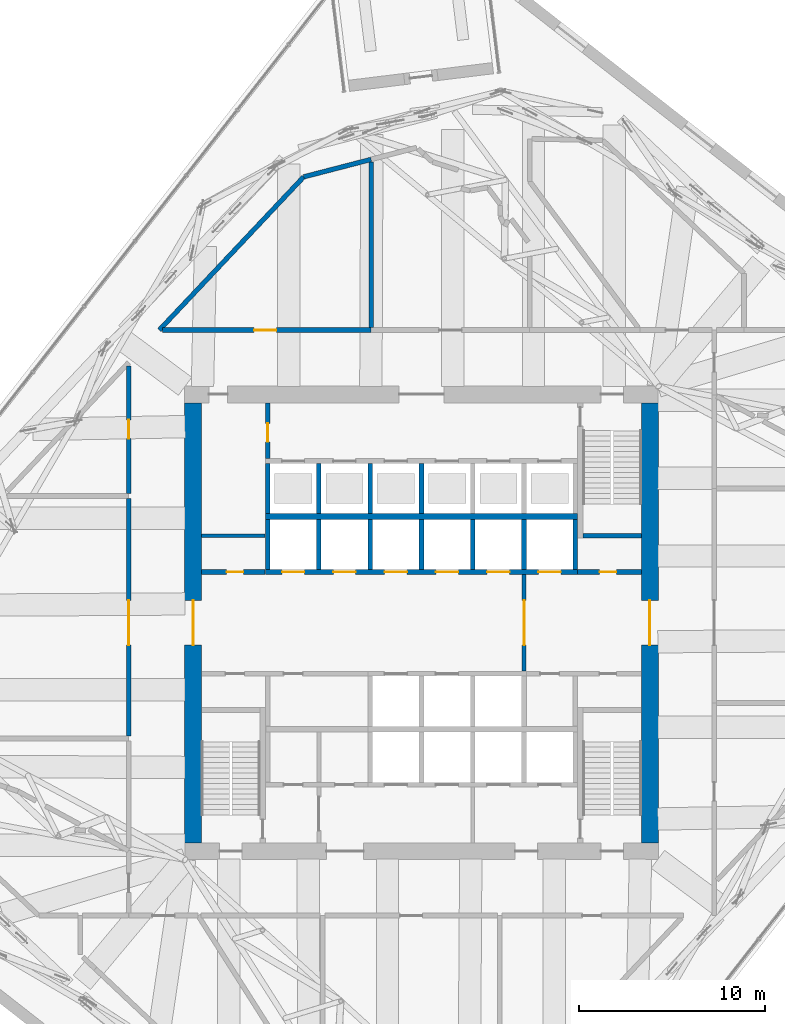
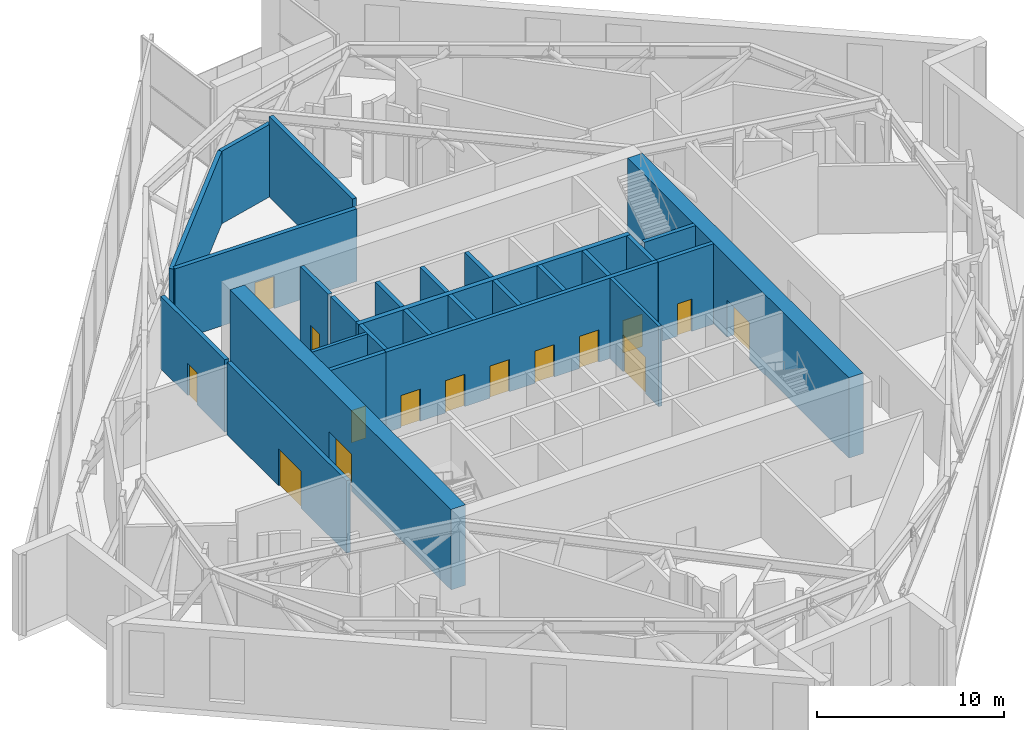
# One storey, part 14 of 23: 27 walls, 15 doors, 15 openings.
"""IFC4 building model written with IfcOpenShell, lengths in metres."""

import ifcopenshell
import ifcopenshell.guid

model = None  # the IFC model being written
_history = None  # IfcOwnerHistory: only IFC2X3 demands one
_inside = {}  # id of a spatial element -> (the spatial element, [elements in it])
_under = {}  # id of a project, library or spatial element -> (it, [spatial elements below it])
_declared = {}  # id of a project -> (the project, [libraries it declares])
_typed = {}  # id of a type object -> (the type object, [elements of that type])
_made_of = {}  # id of a material, layer set ... -> (it, [elements and type objects made of it])


def new_model(schema):
    """Start an empty IFC model of exactly this schema.

    Asked for "IFC4X3", IfcOpenShell would pick the latest addendum, in which some entities
    have other attributes; the version numbers below select the first issue.
    IFC2X3 requires an IfcOwnerHistory on every rooted entity: one is made here for all.
    """
    global model, _history
    if schema == "IFC4X3":
        model = ifcopenshell.file(schema_version=(4, 3, 0, 0))
    else:
        model = ifcopenshell.file(schema=schema)
    _inside.clear()
    _under.clear()
    _declared.clear()
    _typed.clear()
    _made_of.clear()
    _history = None
    if model.schema == "IFC2X3":
        org = make("IfcOrganization", Name="unknown")
        user = make(
            "IfcPersonAndOrganization",
            ThePerson=make("IfcPerson", FamilyName="unknown"),
            TheOrganization=org,
        )
        app = make(
            "IfcApplication",
            ApplicationDeveloper=org,
            Version="unknown",
            ApplicationFullName="unknown",
            ApplicationIdentifier="unknown",
        )
        _history = make(
            "IfcOwnerHistory",
            OwningUser=user,
            OwningApplication=app,
            ChangeAction="ADDED",
            CreationDate=0,
        )
    return model


def make(cls, **values):
    """One entity of the class cls with the attributes given. An attribute that is None is left unset."""
    return model.create_entity(
        cls, **{name: value for name, value in values.items() if value is not None}
    )


def rooted(cls, **values):
    """An entity with a GlobalId (a new one), such as an element, a storey or a relation."""
    return make(cls, GlobalId=ifcopenshell.guid.new(), OwnerHistory=_history, **values)


def si_unit(unit_type, name, prefix=None):
    """IfcSIUnit, for example si_unit("LENGTHUNIT", "METRE", prefix="MILLI")."""
    return make("IfcSIUnit", UnitType=unit_type, Prefix=prefix, Name=name)


def assignment(units):
    """IfcUnitAssignment: the units of a project."""
    return None if units is None else make("IfcUnitAssignment", Units=units)


def point(xyz):
    """IfcCartesianPoint."""
    return None if xyz is None else make("IfcCartesianPoint", Coordinates=xyz)


def direction(xyz):
    """IfcDirection."""
    return None if xyz is None else make("IfcDirection", DirectionRatios=xyz)


def frame(location, z_axis=None, x_axis=None):
    """IfcAxis2Placement3D, a coordinate frame: its origin and axes. An axis left out is left unset."""
    return make(
        "IfcAxis2Placement3D",
        Location=point(location),
        Axis=direction(z_axis),
        RefDirection=direction(x_axis),
    )


def frame_2d(location, x_axis=None):
    """IfcAxis2Placement2D, a coordinate frame in the plane: its origin and x axis."""
    return make(
        "IfcAxis2Placement2D", Location=point(location), RefDirection=direction(x_axis)
    )


def origin():
    """The frame at (0, 0, 0) with its axes left unset."""
    return frame((0.0, 0.0, 0.0))


def place(relative_to, where):
    """IfcLocalPlacement: puts the frame where relative to a parent placement (None: the world)."""
    return make(
        "IfcLocalPlacement", PlacementRelTo=relative_to, RelativePlacement=where
    )


def context(
    kind, dimensions, precision=None, world=None, true_north=None, identifier=None
):
    """IfcGeometricRepresentationContext, for example the 3D "Model" context."""
    return make(
        "IfcGeometricRepresentationContext",
        ContextIdentifier=identifier,
        ContextType=kind,
        CoordinateSpaceDimension=dimensions,
        Precision=precision,
        WorldCoordinateSystem=world,
        TrueNorth=true_north,
    )


def subcontext(parent, identifier, kind, view, scale=None):
    """IfcGeometricRepresentationSubContext, for example "Body" below "Model"."""
    return make(
        "IfcGeometricRepresentationSubContext",
        ContextIdentifier=identifier,
        ContextType=kind,
        ParentContext=parent,
        TargetScale=scale,
        TargetView=view,
    )


def project(units=None, contexts=None):
    """IfcProject with its units and contexts."""
    return rooted(
        "IfcProject",
        Name="project",
        RepresentationContexts=contexts,
        UnitsInContext=assignment(units),
    )


def spatial(cls, under=None, at=None, **own):
    """A site, building, storey or space (cls), placed at a placement, below another one or the project."""
    s = rooted(cls, ObjectPlacement=at, **own)
    if under is not None:
        _under.setdefault(under.id(), (under, []))[1].append(s)
    return s


def profile(cls, at=None, kind="AREA", **sizes):
    """A parametric profile (cls). Its sizes go by their IFC names, for example OverallWidth=200.0."""
    return make(cls, ProfileType=kind, Position=at, **sizes)


def rectangle(**sizes):
    """IfcRectangleProfileDef."""
    return profile("IfcRectangleProfileDef", **sizes)


def extrude(swept, where, along, depth):
    """IfcExtrudedAreaSolid: the profile swept, set in the frame where, extruded along a direction by depth."""
    return make(
        "IfcExtrudedAreaSolid",
        SweptArea=swept,
        Position=where,
        ExtrudedDirection=direction(along),
        Depth=depth,
    )


def shape(context_of_items, identifier, shape_type, items):
    """IfcShapeRepresentation: the items that make up one representation, for example the "Body"."""
    return make(
        "IfcShapeRepresentation",
        ContextOfItems=context_of_items,
        RepresentationIdentifier=identifier,
        RepresentationType=shape_type,
        Items=items,
    )


def material(Name=None, Category=None):
    """IfcMaterial."""
    return make("IfcMaterial", Name=Name, Category=Category)


def layer(
    of_material, thickness, ventilated=None, Name=None, Category=None, Priority=None
):
    """IfcMaterialLayer: one layer of a wall or slab, of a material (None: an air gap)."""
    return make(
        "IfcMaterialLayer",
        Material=of_material,
        LayerThickness=thickness,
        IsVentilated=ventilated,
        Name=Name,
        Category=Category,
        Priority=Priority,
    )


def layer_set(layers, Name=None):
    """IfcMaterialLayerSet."""
    return make("IfcMaterialLayerSet", MaterialLayers=layers, LayerSetName=Name)


def made_of(thing, what):
    """Note that an element or type object is made of a material, layer set ...; save() writes the relation."""
    if what is not None:
        _made_of.setdefault(what.id(), (what, []))[1].append(thing)
    return thing


def type_object(cls, material=None, **own):
    """A type object (cls), such as IfcWallType, which elements share."""
    return made_of(rooted(cls, **own), material)


def element(
    cls,
    number,
    at=None,
    inside=None,
    cuts=None,
    type_object=None,
    material=None,
    context=None,
    identifier="Body",
    shape_type=None,
    held_by="IfcProductDefinitionShape",
    body=None,
    shapes=None,
    **own,
):
    """One element of the class cls, such as IfcWall. Its Tag is "e" and its number.

    at: its placement. inside: the storey or other place that contains it. cuts: it is an
    opening in that element (IfcRelVoidsElement). A single representation is given by context,
    identifier, shape_type and body (its items); several are given by shapes. held_by: the class
    of the entity that holds the representations. save() writes the other relations.
    """
    e = rooted(cls, Tag="e%d" % number, ObjectPlacement=at, **own)
    if body is not None:
        shapes = [shape(context, identifier, shape_type, body)]
    if shapes is not None:
        e.Representation = make(held_by, Representations=shapes)
    if inside is not None:
        _inside.setdefault(inside.id(), (inside, []))[1].append(e)
    if cuts is not None:
        rooted(
            "IfcRelVoidsElement", RelatingBuildingElement=cuts, RelatedOpeningElement=e
        )
    if type_object is not None:
        _typed.setdefault(type_object.id(), (type_object, []))[1].append(e)
    return made_of(e, material)


def fill(opening, filler):
    """IfcRelFillsElement: the door or window that sits in an opening."""
    return rooted(
        "IfcRelFillsElement",
        RelatingOpeningElement=opening,
        RelatedBuildingElement=filler,
    )


def aggregate(whole, parts):
    """IfcRelAggregates: a whole, such as a stair, and the parts it consists of."""
    return rooted("IfcRelAggregates", RelatingObject=whole, RelatedObjects=parts)


def save(model, path):
    """Write the relations noted so far, then the file.

    IfcRelAggregates (storeys below a building ...), IfcRelContainedInSpatialStructure (elements
    in a storey), IfcRelDefinesByType, IfcRelAssociatesMaterial and IfcRelDeclares: one each for
    every whole, place, type object, material and project.
    """
    for whole, parts in _under.values():
        aggregate(whole, parts)
    for where, things in _inside.values():
        rooted(
            "IfcRelContainedInSpatialStructure",
            RelatedElements=things,
            RelatingStructure=where,
        )
    for kind, things in _typed.values():
        rooted("IfcRelDefinesByType", RelatedObjects=things, RelatingType=kind)
    for what, things in _made_of.values():
        rooted("IfcRelAssociatesMaterial", RelatedObjects=things, RelatingMaterial=what)
    for by, libraries in _declared.values():
        rooted("IfcRelDeclares", RelatingContext=by, RelatedDefinitions=libraries)
    model.write(path)


model = new_model("IFC4")

# Units and contexts
model_context = context("Model", 3, precision=1e-05, world=origin(), true_north=direction((0.0, 1.0)))
body_context = subcontext(model_context, "Body", "Model", "MODEL_VIEW")
ifc_project = project(units=[si_unit("LENGTHUNIT", "METRE"), si_unit("AREAUNIT", "SQUARE_METRE"), si_unit("VOLUMEUNIT", "CUBIC_METRE"), si_unit("PLANEANGLEUNIT", "RADIAN"), si_unit("MASSUNIT", "GRAM", prefix="KILO")], contexts=[model_context])

# Site, building, storey
site_placement = place(None, origin())
site = spatial("IfcSite", under=ifc_project, at=site_placement, CompositionType="ELEMENT")
building_placement = place(site_placement, origin())
building = spatial("IfcBuilding", under=site, at=building_placement, Name="Dilmun Exchange Tower", CompositionType="ELEMENT")
storey_placement = place(building_placement, frame((0.0, 0.0, 237.300048828125)))
storey = spatial("IfcBuildingStorey", under=building, at=storey_placement, Name="L56", CompositionType="ELEMENT", Elevation=237.300048828125)

# Wall, opening, door
ifc_material_1 = material(Name="Concrete C40/50", Category="concrete")
ifc_layer_1 = layer(ifc_material_1, 0.199951171875)
ifc_layer_set_1 = layer_set([ifc_layer_1], Name="Concrete C40/50")
wall_type_1 = type_object("IfcWallType", Name="Core partition wall 200", PredefinedType="PARTITIONING", material=ifc_layer_set_1)
wall_1_placement = place(storey_placement, frame((5.5, -2.594970703125, 0.0), z_axis=(0.0, 0.0, 1.0), x_axis=(0.0, 1.0, 0.0)))
wall_1 = element("IfcWall", 1, at=wall_1_placement, inside=storey, type_object=wall_type_1, Name="L56 core partition wall 11", PredefinedType="PARTITIONING", context=body_context, shape_type="SweptSolid", body=[
    extrude(rectangle(XDim=5.18994140625, YDim=0.199951171875, at=frame_2d((2.594970703125, 0.0))), origin(), (0.0, 0.0, 1.0), 5.239990234375),
])
opening_1_placement = place(wall_1_placement, frame((1.39501953125, 0.0, 0.0)))
opening_1 = element("IfcOpeningElement", 2, at=opening_1_placement, cuts=wall_1, Name="Opening CD1", PredefinedType="OPENING", context=body_context, shape_type="SweptSolid", body=[
    extrude(rectangle(XDim=2.39990234375, YDim=2.39990234375, at=frame_2d((1.199951171875, 1.199951171875))), frame((0.0, 0.10986328125, 0.0), z_axis=(0.0, -1.0, 0.0), x_axis=(1.0, 0.0, 0.0)), (0.0, 0.0, 1.0), 0.219970703125),
])
ifc_material_2 = material(Name="Fire-rated steel door set", Category="steel")
door_type_1 = type_object("IfcDoorType", Name="Core lobby door 2400x2400", OperationType="DOUBLE_DOOR_DOUBLE_SWING", PredefinedType="DOOR", material=ifc_material_2)
door_1_placement = place(opening_1_placement, origin())
door_1 = element("IfcDoor", 3, at=door_1_placement, inside=storey, type_object=door_type_1, Name="L56 door Lift lobby east", OperationType="SINGLE_SWING_LEFT", OverallHeight=2.39990234375, OverallWidth=2.39990234375, PredefinedType="DOOR", context=body_context, shape_type="SweptSolid", body=[
    extrude(rectangle(XDim=2.39990234375, YDim=2.39990234375, at=frame_2d((1.199951171875, 1.199951171875))), frame((0.0, 0.02490234375, 0.0), z_axis=(0.0, -1.0, 0.0), x_axis=(1.0, 0.0, 0.0)), (0.0, 0.0, 1.0), 0.050048828125),
])
fill(opening_1, door_1)

# Wall
wall_2_placement = place(storey_placement, frame((-11.794921875, 4.675048828125, 0.0), z_axis=(0.0, 0.0, 1.0), x_axis=(1.0, 0.0, 0.0)))
element("IfcWall", 4, at=wall_2_placement, inside=storey, type_object=wall_type_1, Name="L56 core partition wall 14", PredefinedType="PARTITIONING", context=body_context, shape_type="SweptSolid", body=[
    extrude(rectangle(XDim=3.4150390625, YDim=0.199951171875, at=frame_2d((1.70751953125, 0.0))), origin(), (0.0, 0.0, 1.0), 5.239990234375),
])

# Wall, opening, door
ifc_layer_2 = layer(ifc_material_1, 0.25)
ifc_layer_set_2 = layer_set([ifc_layer_2], Name="Concrete C40/50")
wall_type_2 = type_object("IfcWallType", Name="Core partition wall 250", PredefinedType="PARTITIONING", material=ifc_layer_set_2)
wall_3_placement = place(storey_placement, frame((-11.794921875, 2.72509765625, 0.0), z_axis=(0.0, 0.0, 1.0), x_axis=(1.0, 0.0, 0.0)))
wall_3 = element("IfcWall", 5, at=wall_3_placement, inside=storey, type_object=wall_type_2, Name="L56 core partition wall 12", PredefinedType="PARTITIONING", context=body_context, shape_type="SweptSolid", body=[
    extrude(rectangle(XDim=3.4150390625, YDim=0.25, at=frame_2d((1.70751953125, 0.0))), origin(), (0.0, 0.0, 1.0), 5.239990234375),
])
opening_2_placement = place(wall_3_placement, frame((1.344970703125, 0.0, 0.0)))
opening_2 = element("IfcOpeningElement", 6, at=opening_2_placement, cuts=wall_3, Name="Opening CD6", PredefinedType="OPENING", context=body_context, shape_type="SweptSolid", body=[
    extrude(rectangle(XDim=0.89990234375, YDim=2.10009765625, at=frame_2d((0.449951171875, 1.050048828125))), frame((0.0, 0.135009765625, 0.0), z_axis=(0.0, -1.0, 0.0), x_axis=(1.0, 0.0, 0.0)), (0.0, 0.0, 1.0), 0.27001953125),
])
door_type_2 = type_object("IfcDoorType", Name="Core room door 900x2100", OperationType="SINGLE_SWING_LEFT", PredefinedType="DOOR", material=ifc_material_2)
door_2_placement = place(opening_2_placement, origin())
door_2 = element("IfcDoor", 7, at=door_2_placement, inside=storey, type_object=door_type_2, Name="L56 door Plumbing riser", OperationType="SINGLE_SWING_LEFT", OverallHeight=2.10009765625, OverallWidth=0.89990234375, PredefinedType="DOOR", context=body_context, shape_type="SweptSolid", body=[
    extrude(rectangle(XDim=0.89990234375, YDim=2.10009765625, at=frame_2d((0.449951171875, 1.050048828125))), frame((0.0, 0.02490234375, 0.0), z_axis=(0.0, -1.0, 0.0), x_axis=(1.0, 0.0, 0.0)), (0.0, 0.0, 1.0), 0.050048828125),
])
fill(opening_2, door_2)

wall_4_placement = place(storey_placement, frame((8.3798828125, 2.72509765625, 0.0), z_axis=(0.0, 0.0, 1.0), x_axis=(1.0, 0.0, 0.0)))
wall_4 = element("IfcWall", 8, at=wall_4_placement, inside=storey, type_object=wall_type_2, Name="L56 core partition wall 13", PredefinedType="PARTITIONING", context=body_context, shape_type="SweptSolid", body=[
    extrude(rectangle(XDim=3.4150390625, YDim=0.25, at=frame_2d((1.70751953125, 0.0))), origin(), (0.0, 0.0, 1.0), 5.239990234375),
])
opening_3_placement = place(wall_4_placement, frame((1.169921875, 0.0, 0.0)))
opening_3 = element("IfcOpeningElement", 9, at=opening_3_placement, cuts=wall_4, Name="Opening CD6", PredefinedType="OPENING", context=body_context, shape_type="SweptSolid", body=[
    extrude(rectangle(XDim=0.89990234375, YDim=2.10009765625, at=frame_2d((0.449951171875, 1.050048828125))), frame((0.0, 0.135009765625, 0.0), z_axis=(0.0, -1.0, 0.0), x_axis=(1.0, 0.0, 0.0)), (0.0, 0.0, 1.0), 0.27001953125),
])
door_3_placement = place(opening_3_placement, origin())
door_3 = element("IfcDoor", 10, at=door_3_placement, inside=storey, type_object=door_type_2, Name="L56 door Electrical riser", OperationType="SINGLE_SWING_LEFT", OverallHeight=2.10009765625, OverallWidth=0.89990234375, PredefinedType="DOOR", context=body_context, shape_type="SweptSolid", body=[
    extrude(rectangle(XDim=0.89990234375, YDim=2.10009765625, at=frame_2d((0.449951171875, 1.050048828125))), frame((0.0, 0.02490234375, 0.0), z_axis=(0.0, -1.0, 0.0), x_axis=(1.0, 0.0, 0.0)), (0.0, 0.0, 1.0), 0.050048828125),
])
fill(opening_3, door_3)

wall_5_placement = place(storey_placement, frame((-8.25, 8.804931640625, 0.0), z_axis=(0.0, 0.0, 1.0), x_axis=(0.0, 1.0, 0.0)))
wall_5 = element("IfcWall", 11, at=wall_5_placement, inside=storey, type_object=wall_type_2, Name="L56 core partition wall 15", PredefinedType="PARTITIONING", context=body_context, shape_type="SweptSolid", body=[
    extrude(rectangle(XDim=2.989990234375, YDim=0.25, at=frame_2d((1.4951171875, 0.0))), origin(), (0.0, 0.0, 1.0), 5.239990234375),
])
opening_4_placement = place(wall_5_placement, frame((0.89501953125, 0.0, 0.0)))
opening_4 = element("IfcOpeningElement", 12, at=opening_4_placement, cuts=wall_5, Name="Opening CD4", PredefinedType="OPENING", context=body_context, shape_type="SweptSolid", body=[
    extrude(rectangle(XDim=1.0, YDim=2.10009765625, at=frame_2d((0.5, 1.050048828125))), frame((0.0, 0.135009765625, 0.0), z_axis=(0.0, -1.0, 0.0), x_axis=(1.0, 0.0, 0.0)), (0.0, 0.0, 1.0), 0.27001953125),
])
door_type_3 = type_object("IfcDoorType", Name="Core room door 1000x2100", OperationType="SINGLE_SWING_LEFT", PredefinedType="DOOR", material=ifc_material_2)
door_4_placement = place(opening_4_placement, origin())
door_4 = element("IfcDoor", 13, at=door_4_placement, inside=storey, type_object=door_type_3, Name="L56 door Facilities office", OperationType="SINGLE_SWING_LEFT", OverallHeight=2.10009765625, OverallWidth=1.0, PredefinedType="DOOR", context=body_context, shape_type="SweptSolid", body=[
    extrude(rectangle(XDim=1.0, YDim=2.10009765625, at=frame_2d((0.5, 1.050048828125))), frame((0.0, 0.02490234375, 0.0), z_axis=(0.0, -1.0, 0.0), x_axis=(1.0, 0.0, 0.0)), (0.0, 0.0, 1.0), 0.050048828125),
])
fill(opening_4, door_4)

ifc_material_3 = material(Name="Concrete C60/75", Category="concrete")
ifc_layer_3 = layer(ifc_material_3, 0.89990234375)
ifc_layer_set_3 = layer_set([ifc_layer_3], Name="Concrete C60/75")
wall_type_3 = type_object("IfcWallType", Name="Core shear wall 900 Concrete C60/75", PredefinedType="SHEAR", material=ifc_layer_set_3)
wall_6_placement = place(storey_placement, frame((12.25, -11.800048828125, 0.0), z_axis=(0.0, 0.0, 1.0), x_axis=(0.0, 1.0, 0.0)))
wall_6 = element("IfcWall", 14, at=wall_6_placement, inside=storey, type_object=wall_type_3, Name="L56 core shear wall E", PredefinedType="SHEAR", context=body_context, shape_type="SweptSolid", body=[
    extrude(rectangle(XDim=23.60009765625, YDim=0.89990234375, at=frame_2d((11.800048828125, 0.0))), origin(), (0.0, 0.0, 1.0), 5.239990234375),
])
opening_5_placement = place(wall_6_placement, frame((10.60009765625, 0.0, 0.0)))
opening_5 = element("IfcOpeningElement", 15, at=opening_5_placement, cuts=wall_6, Name="Opening CD1", PredefinedType="OPENING", context=body_context, shape_type="SweptSolid", body=[
    extrude(rectangle(XDim=2.39990234375, YDim=2.39990234375, at=frame_2d((1.199951171875, 1.199951171875))), frame((0.0, 0.4599609375, 0.0), z_axis=(0.0, -1.0, 0.0), x_axis=(1.0, 0.0, 0.0)), (0.0, 0.0, 1.0), 0.919921875),
])
door_5_placement = place(opening_5_placement, origin())
door_5 = element("IfcDoor", 16, at=door_5_placement, inside=storey, type_object=door_type_1, Name="L56 door Central lift lobby", OperationType="SINGLE_SWING_LEFT", OverallHeight=2.39990234375, OverallWidth=2.39990234375, PredefinedType="DOOR", context=body_context, shape_type="SweptSolid", body=[
    extrude(rectangle(XDim=2.39990234375, YDim=2.39990234375, at=frame_2d((1.199951171875, 1.199951171875))), frame((0.0, 0.02490234375, 0.0), z_axis=(0.0, -1.0, 0.0), x_axis=(1.0, 0.0, 0.0)), (0.0, 0.0, 1.0), 0.050048828125),
])
fill(opening_5, door_5)

wall_7_placement = place(storey_placement, frame((-12.25, -11.800048828125, 0.0), z_axis=(0.0, 0.0, 1.0), x_axis=(0.0, 1.0, 0.0)))
wall_7 = element("IfcWall", 17, at=wall_7_placement, inside=storey, type_object=wall_type_3, Name="L56 core shear wall W", PredefinedType="SHEAR", context=body_context, shape_type="SweptSolid", body=[
    extrude(rectangle(XDim=23.60009765625, YDim=0.89990234375, at=frame_2d((11.800048828125, 0.0))), origin(), (0.0, 0.0, 1.0), 5.239990234375),
])
opening_6_placement = place(wall_7_placement, frame((10.60009765625, 0.0, 0.0)))
opening_6 = element("IfcOpeningElement", 18, at=opening_6_placement, cuts=wall_7, Name="Opening CD1", PredefinedType="OPENING", context=body_context, shape_type="SweptSolid", body=[
    extrude(rectangle(XDim=2.39990234375, YDim=2.39990234375, at=frame_2d((1.199951171875, 1.199951171875))), frame((0.0, 0.4599609375, 0.0), z_axis=(0.0, -1.0, 0.0), x_axis=(1.0, 0.0, 0.0)), (0.0, 0.0, 1.0), 0.919921875),
])
door_6_placement = place(opening_6_placement, origin())
door_6 = element("IfcDoor", 19, at=door_6_placement, inside=storey, type_object=door_type_1, Name="L56 door Central lift lobby", OperationType="SINGLE_SWING_LEFT", OverallHeight=2.39990234375, OverallWidth=2.39990234375, PredefinedType="DOOR", context=body_context, shape_type="SweptSolid", body=[
    extrude(rectangle(XDim=2.39990234375, YDim=2.39990234375, at=frame_2d((1.199951171875, 1.199951171875))), frame((0.0, 0.02490234375, 0.0), z_axis=(0.0, -1.0, 0.0), x_axis=(1.0, 0.0, 0.0)), (0.0, 0.0, 1.0), 0.050048828125),
])
fill(opening_6, door_6)

# Wall
ifc_layer_4 = layer(ifc_material_1, 0.300048828125)
ifc_layer_set_4 = layer_set([ifc_layer_4], Name="Concrete C40/50")
wall_type_4 = type_object("IfcWallType", Name="Lift shaft shared wall 300", PredefinedType="SOLIDWALL", material=ifc_layer_set_4)
wall_8_placement = place(storey_placement, frame((-8.375, 5.699951171875, 0.0), z_axis=(0.0, 0.0, 1.0), x_axis=(1.0, 0.0, 0.0)))
element("IfcWall", 20, at=wall_8_placement, inside=storey, type_object=wall_type_4, Name="L56 lift shaft rear wall N", PredefinedType="SOLIDWALL", context=body_context, shape_type="SweptSolid", body=[
    extrude(rectangle(XDim=16.75, YDim=0.300048828125, at=frame_2d((8.375, 0.0))), origin(), (0.0, 0.0, 1.0), 5.239990234375),
])

# Wall, openings, doors
ifc_layer_5 = layer(ifc_material_1, 0.25)
ifc_layer_set_5 = layer_set([ifc_layer_5], Name="Concrete C40/50")
wall_type_5 = type_object("IfcWallType", Name="Lift shaft wall 250", PredefinedType="SOLIDWALL", material=ifc_layer_set_5)
wall_9_placement = place(storey_placement, frame((-8.375, 2.72509765625, 0.0), z_axis=(0.0, 0.0, 1.0), x_axis=(1.0, 0.0, 0.0)))
wall_9 = element("IfcWall", 21, at=wall_9_placement, inside=storey, type_object=wall_type_5, Name="L56 lift shaft front wall N1", PredefinedType="SOLIDWALL", context=body_context, shape_type="SweptSolid", body=[
    extrude(rectangle(XDim=16.75, YDim=0.25, at=frame_2d((8.375, 0.0))), origin(), (0.0, 0.0, 1.0), 5.239990234375),
])
opening_7_placement = place(wall_9_placement, frame((0.89990234375, 0.0, 0.0)))
opening_7 = element("IfcOpeningElement", 22, at=opening_7_placement, cuts=wall_9, Name="Opening LD", PredefinedType="OPENING", context=body_context, shape_type="SweptSolid", body=[
    extrude(rectangle(XDim=1.199951171875, YDim=2.10009765625, at=frame_2d((0.60009765625, 1.050048828125))), frame((0.0, 0.135009765625, 0.0), z_axis=(0.0, -1.0, 0.0), x_axis=(1.0, 0.0, 0.0)), (0.0, 0.0, 1.0), 0.27001953125),
])
opening_8_placement = place(wall_9_placement, frame((3.64990234375, 0.0, 0.0)))
opening_8 = element("IfcOpeningElement", 23, at=opening_8_placement, cuts=wall_9, Name="Opening LD", PredefinedType="OPENING", context=body_context, shape_type="SweptSolid", body=[
    extrude(rectangle(XDim=1.199951171875, YDim=2.10009765625, at=frame_2d((0.60009765625, 1.050048828125))), frame((0.0, 0.135009765625, 0.0), z_axis=(0.0, -1.0, 0.0), x_axis=(1.0, 0.0, 0.0)), (0.0, 0.0, 1.0), 0.27001953125),
])
opening_9_placement = place(wall_9_placement, frame((6.39990234375, 0.0, 0.0)))
opening_9 = element("IfcOpeningElement", 24, at=opening_9_placement, cuts=wall_9, Name="Opening LD", PredefinedType="OPENING", context=body_context, shape_type="SweptSolid", body=[
    extrude(rectangle(XDim=1.199951171875, YDim=2.10009765625, at=frame_2d((0.60009765625, 1.050048828125))), frame((0.0, 0.135009765625, 0.0), z_axis=(0.0, -1.0, 0.0), x_axis=(1.0, 0.0, 0.0)), (0.0, 0.0, 1.0), 0.27001953125),
])
opening_10_placement = place(wall_9_placement, frame((9.14990234375, 0.0, 0.0)))
opening_10 = element("IfcOpeningElement", 25, at=opening_10_placement, cuts=wall_9, Name="Opening LD", PredefinedType="OPENING", context=body_context, shape_type="SweptSolid", body=[
    extrude(rectangle(XDim=1.199951171875, YDim=2.10009765625, at=frame_2d((0.60009765625, 1.050048828125))), frame((0.0, 0.135009765625, 0.0), z_axis=(0.0, -1.0, 0.0), x_axis=(1.0, 0.0, 0.0)), (0.0, 0.0, 1.0), 0.27001953125),
])
opening_11_placement = place(wall_9_placement, frame((11.89990234375, 0.0, 0.0)))
opening_11 = element("IfcOpeningElement", 26, at=opening_11_placement, cuts=wall_9, Name="Opening LD", PredefinedType="OPENING", context=body_context, shape_type="SweptSolid", body=[
    extrude(rectangle(XDim=1.199951171875, YDim=2.10009765625, at=frame_2d((0.60009765625, 1.050048828125))), frame((0.0, 0.135009765625, 0.0), z_axis=(0.0, -1.0, 0.0), x_axis=(1.0, 0.0, 0.0)), (0.0, 0.0, 1.0), 0.27001953125),
])
opening_12_placement = place(wall_9_placement, frame((14.64990234375, 0.0, 0.0)))
opening_12 = element("IfcOpeningElement", 27, at=opening_12_placement, cuts=wall_9, Name="Opening LD", PredefinedType="OPENING", context=body_context, shape_type="SweptSolid", body=[
    extrude(rectangle(XDim=1.199951171875, YDim=2.10009765625, at=frame_2d((0.60009765625, 1.050048828125))), frame((0.0, 0.135009765625, 0.0), z_axis=(0.0, -1.0, 0.0), x_axis=(1.0, 0.0, 0.0)), (0.0, 0.0, 1.0), 0.27001953125),
])
door_type_4 = type_object("IfcDoorType", Name="Lift landing door 1200x2100", OperationType="DOUBLE_DOOR_SLIDING", PredefinedType="DOOR", material=ifc_material_2)
door_7_placement = place(opening_7_placement, origin())
door_7 = element("IfcDoor", 28, at=door_7_placement, inside=storey, type_object=door_type_4, Name="L56 landing door MR1", OperationType="DOUBLE_DOOR_SLIDING", OverallHeight=2.10009765625, OverallWidth=1.199951171875, PredefinedType="DOOR", context=body_context, shape_type="SweptSolid", body=[
    extrude(rectangle(XDim=1.199951171875, YDim=2.10009765625, at=frame_2d((0.60009765625, 1.050048828125))), frame((0.0, 0.02490234375, 0.0), z_axis=(0.0, -1.0, 0.0), x_axis=(1.0, 0.0, 0.0)), (0.0, 0.0, 1.0), 0.050048828125),
])
fill(opening_7, door_7)
door_8_placement = place(opening_8_placement, origin())
door_8 = element("IfcDoor", 29, at=door_8_placement, inside=storey, type_object=door_type_4, Name="L56 landing door MR2", OperationType="DOUBLE_DOOR_SLIDING", OverallHeight=2.10009765625, OverallWidth=1.199951171875, PredefinedType="DOOR", context=body_context, shape_type="SweptSolid", body=[
    extrude(rectangle(XDim=1.199951171875, YDim=2.10009765625, at=frame_2d((0.60009765625, 1.050048828125))), frame((0.0, 0.02490234375, 0.0), z_axis=(0.0, -1.0, 0.0), x_axis=(1.0, 0.0, 0.0)), (0.0, 0.0, 1.0), 0.050048828125),
])
fill(opening_8, door_8)
door_9_placement = place(opening_9_placement, origin())
door_9 = element("IfcDoor", 30, at=door_9_placement, inside=storey, type_object=door_type_4, Name="L56 landing door MR3", OperationType="DOUBLE_DOOR_SLIDING", OverallHeight=2.10009765625, OverallWidth=1.199951171875, PredefinedType="DOOR", context=body_context, shape_type="SweptSolid", body=[
    extrude(rectangle(XDim=1.199951171875, YDim=2.10009765625, at=frame_2d((0.60009765625, 1.050048828125))), frame((0.0, 0.02490234375, 0.0), z_axis=(0.0, -1.0, 0.0), x_axis=(1.0, 0.0, 0.0)), (0.0, 0.0, 1.0), 0.050048828125),
])
fill(opening_9, door_9)
door_10_placement = place(opening_10_placement, origin())
door_10 = element("IfcDoor", 31, at=door_10_placement, inside=storey, type_object=door_type_4, Name="L56 landing door MR4", OperationType="DOUBLE_DOOR_SLIDING", OverallHeight=2.10009765625, OverallWidth=1.199951171875, PredefinedType="DOOR", context=body_context, shape_type="SweptSolid", body=[
    extrude(rectangle(XDim=1.199951171875, YDim=2.10009765625, at=frame_2d((0.60009765625, 1.050048828125))), frame((0.0, 0.02490234375, 0.0), z_axis=(0.0, -1.0, 0.0), x_axis=(1.0, 0.0, 0.0)), (0.0, 0.0, 1.0), 0.050048828125),
])
fill(opening_10, door_10)
door_11_placement = place(opening_11_placement, origin())
door_11 = element("IfcDoor", 32, at=door_11_placement, inside=storey, type_object=door_type_4, Name="L56 landing door MR5", OperationType="DOUBLE_DOOR_SLIDING", OverallHeight=2.10009765625, OverallWidth=1.199951171875, PredefinedType="DOOR", context=body_context, shape_type="SweptSolid", body=[
    extrude(rectangle(XDim=1.199951171875, YDim=2.10009765625, at=frame_2d((0.60009765625, 1.050048828125))), frame((0.0, 0.02490234375, 0.0), z_axis=(0.0, -1.0, 0.0), x_axis=(1.0, 0.0, 0.0)), (0.0, 0.0, 1.0), 0.050048828125),
])
fill(opening_11, door_11)
door_12_placement = place(opening_12_placement, origin())
door_12 = element("IfcDoor", 33, at=door_12_placement, inside=storey, type_object=door_type_4, Name="L56 landing door MR6", OperationType="DOUBLE_DOOR_SLIDING", OverallHeight=2.10009765625, OverallWidth=1.199951171875, PredefinedType="DOOR", context=body_context, shape_type="SweptSolid", body=[
    extrude(rectangle(XDim=1.199951171875, YDim=2.10009765625, at=frame_2d((0.60009765625, 1.050048828125))), frame((0.0, 0.02490234375, 0.0), z_axis=(0.0, -1.0, 0.0), x_axis=(1.0, 0.0, 0.0)), (0.0, 0.0, 1.0), 0.050048828125),
])
fill(opening_12, door_12)

# Walls
for number, where, z_axis, x_axis, name in (
    (34, (-8.25, 2.85009765625, 0.0), (0.0, 0.0, 1.0), (0.0, 1.0, 0.0), "L56 lift shaft divider N10"),
    (35, (-5.5, 2.85009765625, 0.0), (0.0, 0.0, 1.0), (0.0, 1.0, 0.0), "L56 lift shaft divider N11"),
    (36, (-2.75, 2.85009765625, 0.0), (0.0, 0.0, 1.0), (0.0, 1.0, 0.0), "L56 lift shaft divider N12"),
    (37, (0.0, 2.85009765625, 0.0), (0.0, 0.0, 1.0), (0.0, 1.0, 0.0), "L56 lift shaft divider N13"),
    (38, (2.75, 2.85009765625, 0.0), (0.0, 0.0, 1.0), (0.0, 1.0, 0.0), "L56 lift shaft divider N14"),
    (39, (5.5, 2.85009765625, 0.0), (0.0, 0.0, 1.0), (0.0, 1.0, 0.0), "L56 lift shaft divider N15"),
    (40, (8.25, 2.85009765625, 0.0), (0.0, 0.0, 1.0), (0.0, 1.0, 0.0), "L56 lift shaft divider N16"),
    (41, (-8.25, 5.85009765625, 0.0), (0.0, 0.0, 1.0), (0.0, 1.0, 0.0), "L56 lift shaft divider N20"),
    (42, (-5.5, 5.85009765625, 0.0), (0.0, 0.0, 1.0), (0.0, 1.0, 0.0), "L56 lift shaft divider N21"),
    (43, (-2.75, 5.85009765625, 0.0), (0.0, 0.0, 1.0), (0.0, 1.0, 0.0), "L56 lift shaft divider N22"),
    (44, (0.0, 5.85009765625, 0.0), (0.0, 0.0, 1.0), (0.0, 1.0, 0.0), "L56 lift shaft divider N23"),
):
    element("IfcWall", number, at=place(storey_placement, frame(where, z_axis=z_axis, x_axis=x_axis)), inside=storey, type_object=wall_type_5, Name=name, PredefinedType="SOLIDWALL", context=body_context, shape_type="SweptSolid", body=[
        extrude(rectangle(XDim=2.699951171875, YDim=0.25, at=frame_2d((1.35009765625, 0.0))), origin(), (0.0, 0.0, 1.0), 5.239990234375),
    ])

# Wall, opening, door
ifc_material_4 = material(Name="Concrete C32/40", Category="concrete")
ifc_layer_6 = layer(ifc_material_4, 0.25)
ifc_layer_set_6 = layer_set([ifc_layer_6], Name="Concrete C32/40")
wall_type_6 = type_object("IfcWallType", Name="Plant room wall 250", PredefinedType="PARTITIONING", material=ifc_layer_set_6)
wall_10_placement = place(storey_placement, frame((-15.699951171875, -6.070068359375, 0.0), z_axis=(0.0, 0.0, 1.0), x_axis=(0.0, 1.0, 0.0)))
wall_10 = element("IfcWall", 45, at=wall_10_placement, inside=storey, type_object=wall_type_6, Name="L56 plant room wall 57", PredefinedType="PARTITIONING", context=body_context, shape_type="SweptSolid", body=[
    extrude(rectangle(XDim=12.739990234375, YDim=0.25, at=frame_2d((6.3701171875, 0.0))), origin(), (0.0, 0.0, 1.0), 4.719970703125),
])
opening_13_placement = place(wall_10_placement, frame((4.8701171875, 0.0, 0.0)))
opening_13 = element("IfcOpeningElement", 46, at=opening_13_placement, cuts=wall_10, Name="Opening PD4", PredefinedType="OPENING", context=body_context, shape_type="SweptSolid", body=[
    extrude(rectangle(XDim=2.39990234375, YDim=2.39990234375, at=frame_2d((1.199951171875, 1.199951171875))), frame((0.0, 0.135009765625, 0.0), z_axis=(0.0, -1.0, 0.0), x_axis=(1.0, 0.0, 0.0)), (0.0, 0.0, 1.0), 0.27001953125),
])
door_type_5 = type_object("IfcDoorType", Name="Sky lobby door 2400x2400", OperationType="DOUBLE_DOOR_DOUBLE_SWING", PredefinedType="DOOR", material=ifc_material_2)
door_13_placement = place(opening_13_placement, origin())
door_13 = element("IfcDoor", 47, at=door_13_placement, inside=storey, type_object=door_type_5, Name="L56 door Sky lobby", OperationType="SINGLE_SWING_LEFT", OverallHeight=2.39990234375, OverallWidth=2.39990234375, PredefinedType="DOOR", context=body_context, shape_type="SweptSolid", body=[
    extrude(rectangle(XDim=2.39990234375, YDim=2.39990234375, at=frame_2d((1.199951171875, 1.199951171875))), frame((0.0, 0.02490234375, 0.0), z_axis=(0.0, -1.0, 0.0), x_axis=(1.0, 0.0, 0.0)), (0.0, 0.0, 1.0), 0.050048828125),
])
fill(opening_13, door_13)

wall_11_placement = place(storey_placement, frame((-15.699951171875, 6.929931640625, 0.0), z_axis=(0.0, 0.0, 1.0), x_axis=(0.0, 1.0, 0.0)))
wall_11 = element("IfcWall", 48, at=wall_11_placement, inside=storey, type_object=wall_type_6, Name="L56 plant room wall 73", PredefinedType="PARTITIONING", context=body_context, shape_type="SweptSolid", body=[
    extrude(rectangle(XDim=6.840576171875, YDim=0.25, at=frame_2d((3.42041015625, 0.0))), origin(), (0.0, 0.0, 1.0), 4.719970703125),
])
opening_14_placement = place(wall_11_placement, frame((2.949951171875, 0.0, 0.0)))
opening_14 = element("IfcOpeningElement", 49, at=opening_14_placement, cuts=wall_11, Name="Opening PD1", PredefinedType="OPENING", context=body_context, shape_type="SweptSolid", body=[
    extrude(rectangle(XDim=1.0, YDim=2.10009765625, at=frame_2d((0.5, 1.050048828125))), frame((0.0, 0.135009765625, 0.0), z_axis=(0.0, -1.0, 0.0), x_axis=(1.0, 0.0, 0.0)), (0.0, 0.0, 1.0), 0.27001953125),
])
door_type_6 = type_object("IfcDoorType", Name="Plant room door 1000x2100", OperationType="SINGLE_SWING_LEFT", PredefinedType="DOOR", material=ifc_material_2)
door_14_placement = place(opening_14_placement, origin())
door_14 = element("IfcDoor", 50, at=door_14_placement, inside=storey, type_object=door_type_6, Name="L56 door Battery plant room", OperationType="SINGLE_SWING_LEFT", OverallHeight=2.10009765625, OverallWidth=1.0, PredefinedType="DOOR", context=body_context, shape_type="SweptSolid", body=[
    extrude(rectangle(XDim=1.0, YDim=2.10009765625, at=frame_2d((0.5, 1.050048828125))), frame((0.0, 0.02490234375, 0.0), z_axis=(0.0, -1.0, 0.0), x_axis=(1.0, 0.0, 0.0)), (0.0, 0.0, 1.0), 0.050048828125),
])
fill(opening_14, door_14)

# Wall
wall_12_placement = place(storey_placement, frame((-14.06005859375, 15.699951171875, 0.0), z_axis=(0.0, 0.0, 1.0), x_axis=(0.685903590109, 0.727692424775, 0.0)))
element("IfcWall", 51, at=wall_12_placement, inside=storey, type_object=wall_type_6, Name="L56 plant room wall 74", PredefinedType="PARTITIONING", context=body_context, shape_type="SweptSolid", body=[
    extrude(rectangle(XDim=11.287109375, YDim=0.25, at=frame_2d((5.6435546875, 0.0))), origin(), (0.0, 0.0, 1.0), 4.719970703125),
])

# Wall, opening, door
wall_13_placement = place(storey_placement, frame((-13.88134765625, 15.699951171875, 0.0), z_axis=(0.0, 0.0, 1.0), x_axis=(1.0, 0.0, 0.0)))
wall_13 = element("IfcWall", 52, at=wall_13_placement, inside=storey, type_object=wall_type_6, Name="L56 plant room wall 75", PredefinedType="PARTITIONING", context=body_context, shape_type="SweptSolid", body=[
    extrude(rectangle(XDim=11.181396484375, YDim=0.25, at=frame_2d((5.5908203125, 0.0))), origin(), (0.0, 0.0, 1.0), 4.719970703125),
])
opening_15_placement = place(wall_13_placement, frame((4.9013671875, 0.0, 0.0)))
opening_15 = element("IfcOpeningElement", 53, at=opening_15_placement, cuts=wall_13, Name="Opening PD2", PredefinedType="OPENING", context=body_context, shape_type="SweptSolid", body=[
    extrude(rectangle(XDim=1.199951171875, YDim=2.10009765625, at=frame_2d((0.60009765625, 1.050048828125))), frame((0.0, 0.135009765625, 0.0), z_axis=(0.0, -1.0, 0.0), x_axis=(1.0, 0.0, 0.0)), (0.0, 0.0, 1.0), 0.27001953125),
])
door_type_7 = type_object("IfcDoorType", Name="Plant room door 1200x2100", OperationType="SINGLE_SWING_LEFT", PredefinedType="DOOR", material=ifc_material_2)
door_15_placement = place(opening_15_placement, origin())
door_15 = element("IfcDoor", 54, at=door_15_placement, inside=storey, type_object=door_type_7, Name="L56 door Electrical switch room", OperationType="SINGLE_SWING_RIGHT", OverallHeight=2.10009765625, OverallWidth=1.199951171875, PredefinedType="DOOR", context=body_context, shape_type="SweptSolid", body=[
    extrude(rectangle(XDim=1.199951171875, YDim=2.10009765625, at=frame_2d((0.60009765625, 1.050048828125))), frame((0.0, 0.02490234375, 0.0), z_axis=(0.0, -1.0, 0.0), x_axis=(1.0, 0.0, 0.0)), (0.0, 0.0, 1.0), 0.050048828125),
])
fill(opening_15, door_15)

# Walls
wall_14_placement = place(storey_placement, frame((-6.312255859375, 23.9150390625, 0.0), z_axis=(0.0, 0.0, 1.0), x_axis=(0.967996898166, 0.250962158784, 0.0)))
element("IfcWall", 55, at=wall_14_placement, inside=storey, type_object=wall_type_6, Name="L56 plant room wall 93", PredefinedType="PARTITIONING", context=body_context, shape_type="SweptSolid", body=[
    extrude(rectangle(XDim=3.731689453125, YDim=0.25, at=frame_2d((1.86572265625, 0.0))), origin(), (0.0, 0.0, 1.0), 4.719970703125),
])
wall_15_placement = place(storey_placement, frame((-2.699951171875, 15.830078125, 0.0), z_axis=(0.0, 0.0, 1.0), x_axis=(0.0, 1.0, 0.0)))
element("IfcWall", 56, at=wall_15_placement, inside=storey, type_object=wall_type_6, Name="L56 plant room wall 95", PredefinedType="PARTITIONING", context=body_context, shape_type="SweptSolid", body=[
    extrude(rectangle(XDim=8.88720703125, YDim=0.25, at=frame_2d((4.443603515625, 0.0))), origin(), (0.0, 0.0, 1.0), 5.239990234375),
])
ifc_layer_7 = layer(ifc_material_1, 0.25)
ifc_layer_set_7 = layer_set([ifc_layer_7], Name="Concrete C40/50")
wall_type_7 = type_object("IfcWallType", Name="Stair end wall 250", PredefinedType="SOLIDWALL", material=ifc_layer_set_7)
wall_16_placement = place(storey_placement, frame((8.64990234375, 4.675048828125, 0.0), z_axis=(0.0, 0.0, 1.0), x_axis=(1.0, 0.0, 0.0)))
element("IfcWall", 57, at=wall_16_placement, inside=storey, type_object=wall_type_7, Name="L56 ST1 far wall", PredefinedType="SOLIDWALL", context=body_context, shape_type="SweptSolid", body=[
    extrude(rectangle(XDim=3.150146484375, YDim=0.25, at=frame_2d((1.5751953125, 0.0))), origin(), (0.0, 0.0, 1.0), 5.239990234375),
])

save(model, "model.ifc")
